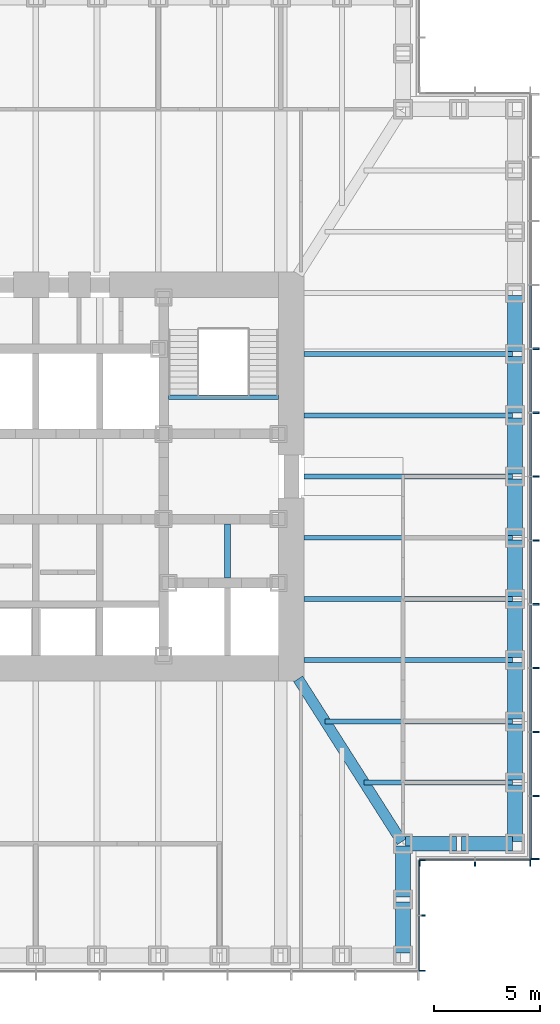
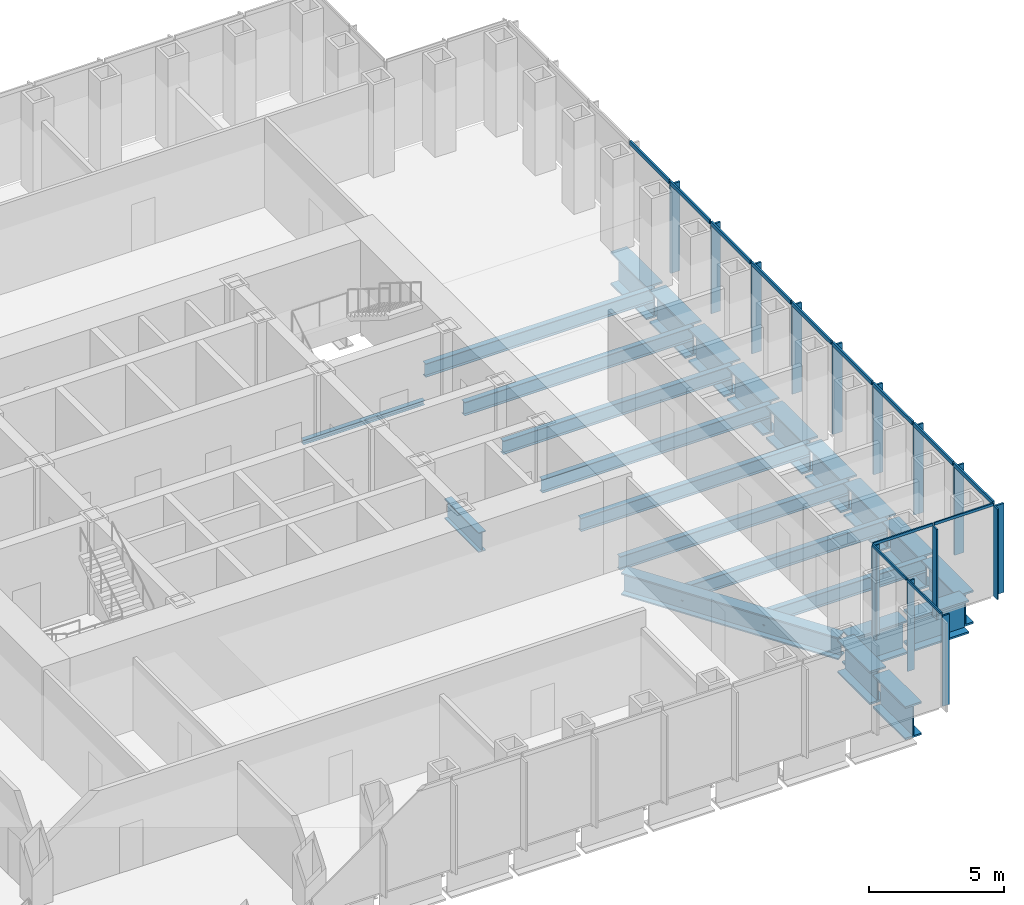
# One storey, part 4 of 17: 28 members, 24 beams, 3 elements without a shape of their own.
"""IFC4 building model written with IfcOpenShell, lengths in metres."""

import ifcopenshell
import ifcopenshell.guid

model = None  # the IFC model being written
_history = None  # IfcOwnerHistory: only IFC2X3 demands one
_inside = {}  # id of a spatial element -> (the spatial element, [elements in it])
_under = {}  # id of a project, library or spatial element -> (it, [spatial elements below it])
_declared = {}  # id of a project -> (the project, [libraries it declares])
_typed = {}  # id of a type object -> (the type object, [elements of that type])
_made_of = {}  # id of a material, layer set ... -> (it, [elements and type objects made of it])


def new_model(schema):
    """Start an empty IFC model of exactly this schema.

    Asked for "IFC4X3", IfcOpenShell would pick the latest addendum, in which some entities
    have other attributes; the version numbers below select the first issue.
    IFC2X3 requires an IfcOwnerHistory on every rooted entity: one is made here for all.
    """
    global model, _history
    if schema == "IFC4X3":
        model = ifcopenshell.file(schema_version=(4, 3, 0, 0))
    else:
        model = ifcopenshell.file(schema=schema)
    _inside.clear()
    _under.clear()
    _declared.clear()
    _typed.clear()
    _made_of.clear()
    _history = None
    if model.schema == "IFC2X3":
        org = make("IfcOrganization", Name="unknown")
        user = make(
            "IfcPersonAndOrganization",
            ThePerson=make("IfcPerson", FamilyName="unknown"),
            TheOrganization=org,
        )
        app = make(
            "IfcApplication",
            ApplicationDeveloper=org,
            Version="unknown",
            ApplicationFullName="unknown",
            ApplicationIdentifier="unknown",
        )
        _history = make(
            "IfcOwnerHistory",
            OwningUser=user,
            OwningApplication=app,
            ChangeAction="ADDED",
            CreationDate=0,
        )
    return model


def make(cls, **values):
    """One entity of the class cls with the attributes given. An attribute that is None is left unset."""
    return model.create_entity(
        cls, **{name: value for name, value in values.items() if value is not None}
    )


def rooted(cls, **values):
    """An entity with a GlobalId (a new one), such as an element, a storey or a relation."""
    return make(cls, GlobalId=ifcopenshell.guid.new(), OwnerHistory=_history, **values)


def si_unit(unit_type, name, prefix=None):
    """IfcSIUnit, for example si_unit("LENGTHUNIT", "METRE", prefix="MILLI")."""
    return make("IfcSIUnit", UnitType=unit_type, Prefix=prefix, Name=name)


def assignment(units):
    """IfcUnitAssignment: the units of a project."""
    return None if units is None else make("IfcUnitAssignment", Units=units)


def point(xyz):
    """IfcCartesianPoint."""
    return None if xyz is None else make("IfcCartesianPoint", Coordinates=xyz)


def direction(xyz):
    """IfcDirection."""
    return None if xyz is None else make("IfcDirection", DirectionRatios=xyz)


def frame(location, z_axis=None, x_axis=None):
    """IfcAxis2Placement3D, a coordinate frame: its origin and axes. An axis left out is left unset."""
    return make(
        "IfcAxis2Placement3D",
        Location=point(location),
        Axis=direction(z_axis),
        RefDirection=direction(x_axis),
    )


def frame_2d(location, x_axis=None):
    """IfcAxis2Placement2D, a coordinate frame in the plane: its origin and x axis."""
    return make(
        "IfcAxis2Placement2D", Location=point(location), RefDirection=direction(x_axis)
    )


def origin():
    """The frame at (0, 0, 0) with its axes left unset."""
    return frame((0.0, 0.0, 0.0))


def origin_2d():
    """The frame at (0, 0) in the plane with its x axis left unset."""
    return frame_2d((0.0, 0.0))


def place(relative_to, where):
    """IfcLocalPlacement: puts the frame where relative to a parent placement (None: the world)."""
    return make(
        "IfcLocalPlacement", PlacementRelTo=relative_to, RelativePlacement=where
    )


def context(
    kind, dimensions, precision=None, world=None, true_north=None, identifier=None
):
    """IfcGeometricRepresentationContext, for example the 3D "Model" context."""
    return make(
        "IfcGeometricRepresentationContext",
        ContextIdentifier=identifier,
        ContextType=kind,
        CoordinateSpaceDimension=dimensions,
        Precision=precision,
        WorldCoordinateSystem=world,
        TrueNorth=true_north,
    )


def subcontext(parent, identifier, kind, view, scale=None):
    """IfcGeometricRepresentationSubContext, for example "Body" below "Model"."""
    return make(
        "IfcGeometricRepresentationSubContext",
        ContextIdentifier=identifier,
        ContextType=kind,
        ParentContext=parent,
        TargetScale=scale,
        TargetView=view,
    )


def project(units=None, contexts=None):
    """IfcProject with its units and contexts."""
    return rooted(
        "IfcProject",
        Name="project",
        RepresentationContexts=contexts,
        UnitsInContext=assignment(units),
    )


def spatial(cls, under=None, at=None, **own):
    """A site, building, storey or space (cls), placed at a placement, below another one or the project."""
    s = rooted(cls, ObjectPlacement=at, **own)
    if under is not None:
        _under.setdefault(under.id(), (under, []))[1].append(s)
    return s


def profile(cls, at=None, kind="AREA", **sizes):
    """A parametric profile (cls). Its sizes go by their IFC names, for example OverallWidth=200.0."""
    return make(cls, ProfileType=kind, Position=at, **sizes)


def rectangle(**sizes):
    """IfcRectangleProfileDef."""
    return profile("IfcRectangleProfileDef", **sizes)


def i_section(**sizes):
    """IfcIShapeProfileDef."""
    return profile("IfcIShapeProfileDef", **sizes)


def extrude(swept, where, along, depth):
    """IfcExtrudedAreaSolid: the profile swept, set in the frame where, extruded along a direction by depth."""
    return make(
        "IfcExtrudedAreaSolid",
        SweptArea=swept,
        Position=where,
        ExtrudedDirection=direction(along),
        Depth=depth,
    )


def shape(context_of_items, identifier, shape_type, items):
    """IfcShapeRepresentation: the items that make up one representation, for example the "Body"."""
    return make(
        "IfcShapeRepresentation",
        ContextOfItems=context_of_items,
        RepresentationIdentifier=identifier,
        RepresentationType=shape_type,
        Items=items,
    )


def material(Name=None, Category=None):
    """IfcMaterial."""
    return make("IfcMaterial", Name=Name, Category=Category)


def material_profile(
    of_material, cross_section, Name=None, Category=None, Priority=None
):
    """IfcMaterialProfile: a cross section and its material."""
    return make(
        "IfcMaterialProfile",
        Name=Name,
        Material=of_material,
        Profile=cross_section,
        Priority=Priority,
        Category=Category,
    )


def profile_set(profiles, Name=None, composite=None):
    """IfcMaterialProfileSet."""
    return make(
        "IfcMaterialProfileSet",
        Name=Name,
        MaterialProfiles=profiles,
        CompositeProfile=composite,
    )


def made_of(thing, what):
    """Note that an element or type object is made of a material, layer set ...; save() writes the relation."""
    if what is not None:
        _made_of.setdefault(what.id(), (what, []))[1].append(thing)
    return thing


def type_object(cls, material=None, **own):
    """A type object (cls), such as IfcWallType, which elements share."""
    return made_of(rooted(cls, **own), material)


def element(
    cls,
    number,
    at=None,
    inside=None,
    cuts=None,
    type_object=None,
    material=None,
    context=None,
    identifier="Body",
    shape_type=None,
    held_by="IfcProductDefinitionShape",
    body=None,
    shapes=None,
    **own,
):
    """One element of the class cls, such as IfcWall. Its Tag is "e" and its number.

    at: its placement. inside: the storey or other place that contains it. cuts: it is an
    opening in that element (IfcRelVoidsElement). A single representation is given by context,
    identifier, shape_type and body (its items); several are given by shapes. held_by: the class
    of the entity that holds the representations. save() writes the other relations.
    """
    e = rooted(cls, Tag="e%d" % number, ObjectPlacement=at, **own)
    if body is not None:
        shapes = [shape(context, identifier, shape_type, body)]
    if shapes is not None:
        e.Representation = make(held_by, Representations=shapes)
    if inside is not None:
        _inside.setdefault(inside.id(), (inside, []))[1].append(e)
    if cuts is not None:
        rooted(
            "IfcRelVoidsElement", RelatingBuildingElement=cuts, RelatedOpeningElement=e
        )
    if type_object is not None:
        _typed.setdefault(type_object.id(), (type_object, []))[1].append(e)
    return made_of(e, material)


def aggregate(whole, parts):
    """IfcRelAggregates: a whole, such as a stair, and the parts it consists of."""
    return rooted("IfcRelAggregates", RelatingObject=whole, RelatedObjects=parts)


def save(model, path):
    """Write the relations noted so far, then the file.

    IfcRelAggregates (storeys below a building ...), IfcRelContainedInSpatialStructure (elements
    in a storey), IfcRelDefinesByType, IfcRelAssociatesMaterial and IfcRelDeclares: one each for
    every whole, place, type object, material and project.
    """
    for whole, parts in _under.values():
        aggregate(whole, parts)
    for where, things in _inside.values():
        rooted(
            "IfcRelContainedInSpatialStructure",
            RelatedElements=things,
            RelatingStructure=where,
        )
    for kind, things in _typed.values():
        rooted("IfcRelDefinesByType", RelatedObjects=things, RelatingType=kind)
    for what, things in _made_of.values():
        rooted("IfcRelAssociatesMaterial", RelatedObjects=things, RelatingMaterial=what)
    for by, libraries in _declared.values():
        rooted("IfcRelDeclares", RelatingContext=by, RelatedDefinitions=libraries)
    model.write(path)


model = new_model("IFC4")

# Units and contexts
model_context = context("Model", 3, precision=1e-05, world=origin(), true_north=direction((0.0, 1.0)))
body_context = subcontext(model_context, "Body", "Model", "MODEL_VIEW")
ifc_project = project(units=[si_unit("LENGTHUNIT", "METRE"), si_unit("AREAUNIT", "SQUARE_METRE"), si_unit("VOLUMEUNIT", "CUBIC_METRE"), si_unit("PLANEANGLEUNIT", "RADIAN"), si_unit("MASSUNIT", "GRAM", prefix="KILO")], contexts=[model_context])

# Site, building, storey
site_placement = place(None, origin())
site = spatial("IfcSite", under=ifc_project, at=site_placement, CompositionType="ELEMENT")
building_placement = place(site_placement, origin())
building = spatial("IfcBuilding", under=site, at=building_placement, Name="Daluyong Arena Tower", CompositionType="ELEMENT")
storey_placement = place(building_placement, frame((0.0, 0.0, 166.89990234375)))
storey = spatial("IfcBuildingStorey", under=building, at=storey_placement, Name="L37", CompositionType="ELEMENT", Elevation=166.89990234375)

# Curtain wall, members
ifc_material_1 = material(Name="Bronze anodised aluminium and glass", Category="aluminium")
curtain_wall_type_1 = type_object("IfcCurtainWallType", Name="Curtain wall CW2", PredefinedType="USERDEFINED", material=ifc_material_1)
curtain_wall_1_placement = place(storey_placement, origin())
curtain_wall_1 = element("IfcCurtainWall", 1, at=curtain_wall_1_placement, inside=storey, type_object=curtain_wall_type_1, Name="curtain wall L37 E", ObjectType="UNITISED CURTAIN WALL", PredefinedType="USERDEFINED")
ifc_material_2 = material(Name="Bronze anodised aluminium fin", Category="aluminium")
ifc_material_profile_1 = material_profile(ifc_material_2, rectangle(XDim=0.39990234375, YDim=0.080078125, at=origin_2d()))
ifc_profile_set_1 = profile_set([ifc_material_profile_1], Name="Bronze anodised aluminium fin")
member_type_1 = type_object("IfcMemberType", Name="CW2 bronze fin 400x80", PredefinedType="MULLION", material=ifc_profile_set_1)
member_1_placement = place(storey_placement, frame((79.449951171875, 62.0400390625, 0.0), z_axis=(0.0, 0.0, 1.0), x_axis=(-1.0, 0.0, 0.0)))
member_1 = element("IfcMember", 2, at=member_1_placement, type_object=member_type_1, Name="curtain wall L37 E fin 1", PredefinedType="MULLION", context=body_context, shape_type="SweptSolid", body=[
    extrude(rectangle(XDim=0.39990234375, YDim=0.080078125, at=origin_2d()), origin(), (0.0, 0.0, 1.0), 4.02001953125),
])
member_2_placement = place(storey_placement, frame((79.449951171875, 65.0, 0.0), z_axis=(0.0, 0.0, 1.0), x_axis=(-1.0, 0.0, 0.0)))
member_2 = element("IfcMember", 3, at=member_2_placement, type_object=member_type_1, Name="curtain wall L37 E fin 2", PredefinedType="MULLION", context=body_context, shape_type="SweptSolid", body=[
    extrude(rectangle(XDim=0.39990234375, YDim=0.080078125, at=origin_2d()), origin(), (0.0, 0.0, 1.0), 4.02001953125),
])
member_3_placement = place(storey_placement, frame((79.449951171875, 68.0, 0.0), z_axis=(0.0, 0.0, 1.0), x_axis=(-1.0, 0.0, 0.0)))
member_3 = element("IfcMember", 4, at=member_3_placement, type_object=member_type_1, Name="curtain wall L37 E fin 3", PredefinedType="MULLION", context=body_context, shape_type="SweptSolid", body=[
    extrude(rectangle(XDim=0.39990234375, YDim=0.080078125, at=origin_2d()), origin(), (0.0, 0.0, 1.0), 4.02001953125),
])
member_4_placement = place(storey_placement, frame((79.449951171875, 71.0, 0.0), z_axis=(0.0, 0.0, 1.0), x_axis=(-1.0, 0.0, 0.0)))
member_4 = element("IfcMember", 5, at=member_4_placement, type_object=member_type_1, Name="curtain wall L37 E fin 4", PredefinedType="MULLION", context=body_context, shape_type="SweptSolid", body=[
    extrude(rectangle(XDim=0.39990234375, YDim=0.080078125, at=origin_2d()), origin(), (0.0, 0.0, 1.0), 4.02001953125),
])
member_5_placement = place(storey_placement, frame((79.449951171875, 74.0, 0.0), z_axis=(0.0, 0.0, 1.0), x_axis=(-1.0, 0.0, 0.0)))
member_5 = element("IfcMember", 6, at=member_5_placement, type_object=member_type_1, Name="curtain wall L37 E fin 5", PredefinedType="MULLION", context=body_context, shape_type="SweptSolid", body=[
    extrude(rectangle(XDim=0.39990234375, YDim=0.080078125, at=origin_2d()), origin(), (0.0, 0.0, 1.0), 4.02001953125),
])
member_6_placement = place(storey_placement, frame((79.449951171875, 77.0, 0.0), z_axis=(0.0, 0.0, 1.0), x_axis=(-1.0, 0.0, 0.0)))
member_6 = element("IfcMember", 7, at=member_6_placement, type_object=member_type_1, Name="curtain wall L37 E fin 6", PredefinedType="MULLION", context=body_context, shape_type="SweptSolid", body=[
    extrude(rectangle(XDim=0.39990234375, YDim=0.080078125, at=origin_2d()), origin(), (0.0, 0.0, 1.0), 4.02001953125),
])
member_7_placement = place(storey_placement, frame((79.449951171875, 80.0, 0.0), z_axis=(0.0, 0.0, 1.0), x_axis=(-1.0, 0.0, 0.0)))
member_7 = element("IfcMember", 8, at=member_7_placement, type_object=member_type_1, Name="curtain wall L37 E fin 7", PredefinedType="MULLION", context=body_context, shape_type="SweptSolid", body=[
    extrude(rectangle(XDim=0.39990234375, YDim=0.080078125, at=origin_2d()), origin(), (0.0, 0.0, 1.0), 4.02001953125),
])
member_8_placement = place(storey_placement, frame((79.449951171875, 83.0, 0.0), z_axis=(0.0, 0.0, 1.0), x_axis=(-1.0, 0.0, 0.0)))
member_8 = element("IfcMember", 9, at=member_8_placement, type_object=member_type_1, Name="curtain wall L37 E fin 8", PredefinedType="MULLION", context=body_context, shape_type="SweptSolid", body=[
    extrude(rectangle(XDim=0.39990234375, YDim=0.080078125, at=origin_2d()), origin(), (0.0, 0.0, 1.0), 4.02001953125),
])
member_9_placement = place(storey_placement, frame((79.449951171875, 86.0, 0.0), z_axis=(0.0, 0.0, 1.0), x_axis=(-1.0, 0.0, 0.0)))
member_9 = element("IfcMember", 10, at=member_9_placement, type_object=member_type_1, Name="curtain wall L37 E fin 9", PredefinedType="MULLION", context=body_context, shape_type="SweptSolid", body=[
    extrude(rectangle(XDim=0.39990234375, YDim=0.080078125, at=origin_2d()), origin(), (0.0, 0.0, 1.0), 4.02001953125),
])
ifc_material_3 = material(Name="Bronze anodised aluminium", Category="aluminium")
ifc_material_profile_2 = material_profile(ifc_material_3, rectangle(XDim=0.080078125, YDim=0.179931640625, at=origin_2d()))
ifc_profile_set_2 = profile_set([ifc_material_profile_2], Name="Bronze anodised aluminium")
member_type_2 = type_object("IfcMemberType", Name="CW2 stack transom 180x80", PredefinedType="USERDEFINED", material=ifc_profile_set_2)
member_10_placement = place(storey_placement, frame((79.25, 62.080078125, 4.110107421875), z_axis=(0.0, 1.0, 0.0), x_axis=(-1.0, 0.0, 0.0)))
member_10 = element("IfcMember", 11, at=member_10_placement, type_object=member_type_2, Name="curtain wall L37 E transom 1", ObjectType="TRANSOM", PredefinedType="USERDEFINED", context=body_context, shape_type="SweptSolid", body=[
    extrude(rectangle(XDim=0.080078125, YDim=0.179931640625, at=origin_2d()), origin(), (0.0, 0.0, 1.0), 2.8798828125),
])
member_11_placement = place(storey_placement, frame((79.25, 65.0400390625, 4.110107421875), z_axis=(0.0, 1.0, 0.0), x_axis=(-1.0, 0.0, 0.0)))
member_11 = element("IfcMember", 12, at=member_11_placement, type_object=member_type_2, Name="curtain wall L37 E transom 2", ObjectType="TRANSOM", PredefinedType="USERDEFINED", context=body_context, shape_type="SweptSolid", body=[
    extrude(rectangle(XDim=0.080078125, YDim=0.179931640625, at=origin_2d()), origin(), (0.0, 0.0, 1.0), 2.919921875),
])
member_12_placement = place(storey_placement, frame((79.25, 68.0400390625, 4.110107421875), z_axis=(0.0, 1.0, 0.0), x_axis=(-1.0, 0.0, 0.0)))
member_12 = element("IfcMember", 13, at=member_12_placement, type_object=member_type_2, Name="curtain wall L37 E transom 3", ObjectType="TRANSOM", PredefinedType="USERDEFINED", context=body_context, shape_type="SweptSolid", body=[
    extrude(rectangle(XDim=0.080078125, YDim=0.179931640625, at=origin_2d()), origin(), (0.0, 0.0, 1.0), 2.919921875),
])
member_13_placement = place(storey_placement, frame((79.25, 71.0400390625, 4.110107421875), z_axis=(0.0, 1.0, 0.0), x_axis=(-1.0, 0.0, 0.0)))
member_13 = element("IfcMember", 14, at=member_13_placement, type_object=member_type_2, Name="curtain wall L37 E transom 4", ObjectType="TRANSOM", PredefinedType="USERDEFINED", context=body_context, shape_type="SweptSolid", body=[
    extrude(rectangle(XDim=0.080078125, YDim=0.179931640625, at=origin_2d()), origin(), (0.0, 0.0, 1.0), 2.919921875),
])
member_14_placement = place(storey_placement, frame((79.25, 74.0400390625, 4.110107421875), z_axis=(0.0, 1.0, 0.0), x_axis=(-1.0, 0.0, 0.0)))
member_14 = element("IfcMember", 15, at=member_14_placement, type_object=member_type_2, Name="curtain wall L37 E transom 5", ObjectType="TRANSOM", PredefinedType="USERDEFINED", context=body_context, shape_type="SweptSolid", body=[
    extrude(rectangle(XDim=0.080078125, YDim=0.179931640625, at=origin_2d()), origin(), (0.0, 0.0, 1.0), 2.919921875),
])
member_15_placement = place(storey_placement, frame((79.25, 77.0400390625, 4.110107421875), z_axis=(0.0, 1.0, 0.0), x_axis=(-1.0, 0.0, 0.0)))
member_15 = element("IfcMember", 16, at=member_15_placement, type_object=member_type_2, Name="curtain wall L37 E transom 6", ObjectType="TRANSOM", PredefinedType="USERDEFINED", context=body_context, shape_type="SweptSolid", body=[
    extrude(rectangle(XDim=0.080078125, YDim=0.179931640625, at=origin_2d()), origin(), (0.0, 0.0, 1.0), 2.919921875),
])
member_16_placement = place(storey_placement, frame((79.25, 80.0400390625, 4.110107421875), z_axis=(0.0, 1.0, 0.0), x_axis=(-1.0, 0.0, 0.0)))
member_16 = element("IfcMember", 17, at=member_16_placement, type_object=member_type_2, Name="curtain wall L37 E transom 7", ObjectType="TRANSOM", PredefinedType="USERDEFINED", context=body_context, shape_type="SweptSolid", body=[
    extrude(rectangle(XDim=0.080078125, YDim=0.179931640625, at=origin_2d()), origin(), (0.0, 0.0, 1.0), 2.919921875),
])
member_17_placement = place(storey_placement, frame((79.25, 83.0400390625, 4.110107421875), z_axis=(0.0, 1.0, 0.0), x_axis=(-1.0, 0.0, 0.0)))
member_17 = element("IfcMember", 18, at=member_17_placement, type_object=member_type_2, Name="curtain wall L37 E transom 8", ObjectType="TRANSOM", PredefinedType="USERDEFINED", context=body_context, shape_type="SweptSolid", body=[
    extrude(rectangle(XDim=0.080078125, YDim=0.179931640625, at=origin_2d()), origin(), (0.0, 0.0, 1.0), 2.919921875),
])
member_18_placement = place(storey_placement, frame((79.25, 86.0400390625, 4.110107421875), z_axis=(0.0, 1.0, 0.0), x_axis=(-1.0, 0.0, 0.0)))
member_18 = element("IfcMember", 19, at=member_18_placement, type_object=member_type_2, Name="curtain wall L37 E transom 9", ObjectType="TRANSOM", PredefinedType="USERDEFINED", context=body_context, shape_type="SweptSolid", body=[
    extrude(rectangle(XDim=0.080078125, YDim=0.179931640625, at=origin_2d()), origin(), (0.0, 0.0, 1.0), 2.919921875),
])
aggregate(curtain_wall_1, [member_1, member_2, member_3, member_4, member_5, member_6, member_7, member_8, member_9, member_10, member_11, member_12, member_13, member_14, member_15, member_16, member_17, member_18])

ifc_material_4 = material(Name="Bronze anodised aluminium and glass", Category="aluminium")
curtain_wall_type_2 = type_object("IfcCurtainWallType", Name="Curtain wall CW7", PredefinedType="USERDEFINED", material=ifc_material_4)
curtain_wall_2_placement = place(storey_placement, origin())
curtain_wall_2 = element("IfcCurtainWall", 20, at=curtain_wall_2_placement, inside=storey, type_object=curtain_wall_type_2, Name="curtain wall L37 SE-E", ObjectType="UNITISED CURTAIN WALL", PredefinedType="USERDEFINED")
ifc_material_5 = material(Name="Bronze anodised aluminium fin", Category="aluminium")
ifc_material_profile_3 = material_profile(ifc_material_5, rectangle(XDim=0.300048828125, YDim=0.06005859375, at=origin_2d()))
ifc_profile_set_3 = profile_set([ifc_material_profile_3], Name="Bronze anodised aluminium fin")
member_type_3 = type_object("IfcMemberType", Name="CW7 bronze fin 300x60", PredefinedType="MULLION", material=ifc_profile_set_3)
member_19_placement = place(storey_placement, frame((74.14990234375, 56.780029296875, 0.0), z_axis=(0.0, 0.0, 1.0), x_axis=(-1.0, 0.0, 0.0)))
member_19 = element("IfcMember", 21, at=member_19_placement, type_object=member_type_3, Name="curtain wall L37 SE-E fin 1", PredefinedType="MULLION", context=body_context, shape_type="SweptSolid", body=[
    extrude(rectangle(XDim=0.300048828125, YDim=0.06005859375, at=origin_2d()), origin(), (0.0, 0.0, 1.0), 4.080078125),
])
member_20_placement = place(storey_placement, frame((74.14990234375, 59.375, 0.0), z_axis=(0.0, 0.0, 1.0), x_axis=(-1.0, 0.0, 0.0)))
member_20 = element("IfcMember", 22, at=member_20_placement, type_object=member_type_3, Name="curtain wall L37 SE-E fin 2", PredefinedType="MULLION", context=body_context, shape_type="SweptSolid", body=[
    extrude(rectangle(XDim=0.300048828125, YDim=0.06005859375, at=origin_2d()), origin(), (0.0, 0.0, 1.0), 4.080078125),
])
member_21_placement = place(storey_placement, frame((74.14990234375, 61.969970703125, 0.0), z_axis=(0.0, 0.0, 1.0), x_axis=(-1.0, 0.0, 0.0)))
member_21 = element("IfcMember", 23, at=member_21_placement, type_object=member_type_3, Name="curtain wall L37 SE-E fin 3", PredefinedType="MULLION", context=body_context, shape_type="SweptSolid", body=[
    extrude(rectangle(XDim=0.300048828125, YDim=0.06005859375, at=origin_2d()), origin(), (0.0, 0.0, 1.0), 4.080078125),
])

curtain_wall_3_placement = place(storey_placement, origin())
curtain_wall_3 = element("IfcCurtainWall", 24, at=curtain_wall_3_placement, inside=storey, type_object=curtain_wall_type_2, Name="curtain wall L37 SE-S", ObjectType="UNITISED CURTAIN WALL", PredefinedType="USERDEFINED")
member_22_placement = place(storey_placement, frame((74.030029296875, 61.85009765625, 0.0), z_axis=(0.0, 0.0, 1.0), x_axis=(0.0, 1.0, 0.0)))
member_22 = element("IfcMember", 25, at=member_22_placement, type_object=member_type_3, Name="curtain wall L37 SE-S fin 1", PredefinedType="MULLION", context=body_context, shape_type="SweptSolid", body=[
    extrude(rectangle(XDim=0.300048828125, YDim=0.06005859375, at=origin_2d()), origin(), (0.0, 0.0, 1.0), 4.080078125),
])
member_23_placement = place(storey_placement, frame((76.625, 61.85009765625, 0.0), z_axis=(0.0, 0.0, 1.0), x_axis=(0.0, 1.0, 0.0)))
member_23 = element("IfcMember", 26, at=member_23_placement, type_object=member_type_3, Name="curtain wall L37 SE-S fin 2", PredefinedType="MULLION", context=body_context, shape_type="SweptSolid", body=[
    extrude(rectangle(XDim=0.300048828125, YDim=0.06005859375, at=origin_2d()), origin(), (0.0, 0.0, 1.0), 4.080078125),
])
member_24_placement = place(storey_placement, frame((79.219970703125, 61.85009765625, 0.0), z_axis=(0.0, 0.0, 1.0), x_axis=(0.0, 1.0, 0.0)))
member_24 = element("IfcMember", 27, at=member_24_placement, type_object=member_type_3, Name="curtain wall L37 SE-S fin 3", PredefinedType="MULLION", context=body_context, shape_type="SweptSolid", body=[
    extrude(rectangle(XDim=0.300048828125, YDim=0.06005859375, at=origin_2d()), origin(), (0.0, 0.0, 1.0), 4.080078125),
])

# Member
ifc_material_6 = material(Name="Bronze anodised aluminium", Category="aluminium")
ifc_material_profile_4 = material_profile(ifc_material_6, rectangle(XDim=0.06005859375, YDim=0.1201171875, at=origin_2d()))
ifc_profile_set_4 = profile_set([ifc_material_profile_4], Name="Bronze anodised aluminium")
member_type_4 = type_object("IfcMemberType", Name="CW7 stack transom 120x60", PredefinedType="USERDEFINED", material=ifc_profile_set_4)
member_25_placement = place(storey_placement, frame((74.0, 56.81005859375, 4.14013671875), z_axis=(0.0, 1.0, 0.0), x_axis=(-1.0, 0.0, 0.0)))
member_25 = element("IfcMember", 28, at=member_25_placement, type_object=member_type_4, Name="curtain wall L37 SE-E transom 1", ObjectType="TRANSOM", PredefinedType="USERDEFINED", context=body_context, shape_type="SweptSolid", body=[
    extrude(rectangle(XDim=0.06005859375, YDim=0.1201171875, at=origin_2d()), origin(), (0.0, 0.0, 1.0), 2.534912109375),
])

member_26_placement = place(storey_placement, frame((74.0, 59.405029296875, 4.14013671875), z_axis=(0.0, 1.0, 0.0), x_axis=(-1.0, 0.0, 0.0)))
member_26 = element("IfcMember", 29, at=member_26_placement, type_object=member_type_4, Name="curtain wall L37 SE-E transom 2", ObjectType="TRANSOM", PredefinedType="USERDEFINED", context=body_context, shape_type="SweptSolid", body=[
    extrude(rectangle(XDim=0.06005859375, YDim=0.1201171875, at=origin_2d()), origin(), (0.0, 0.0, 1.0), 2.534912109375),
])

aggregate(curtain_wall_2, [member_19, member_20, member_21, member_25, member_26])

member_27_placement = place(storey_placement, frame((74.06005859375, 62.0, 4.14013671875), z_axis=(1.0, 0.0, 0.0), x_axis=(0.0, 1.0, 0.0)))
member_27 = element("IfcMember", 30, at=member_27_placement, type_object=member_type_4, Name="curtain wall L37 SE-S transom 1", ObjectType="TRANSOM", PredefinedType="USERDEFINED", context=body_context, shape_type="SweptSolid", body=[
    extrude(rectangle(XDim=0.06005859375, YDim=0.1201171875, at=origin_2d()), origin(), (0.0, 0.0, 1.0), 2.534912109375),
])

member_28_placement = place(storey_placement, frame((76.655029296875, 62.0, 4.14013671875), z_axis=(1.0, 0.0, 0.0), x_axis=(0.0, 1.0, 0.0)))
member_28 = element("IfcMember", 31, at=member_28_placement, type_object=member_type_4, Name="curtain wall L37 SE-S transom 2", ObjectType="TRANSOM", PredefinedType="USERDEFINED", context=body_context, shape_type="SweptSolid", body=[
    extrude(rectangle(XDim=0.06005859375, YDim=0.1201171875, at=origin_2d()), origin(), (0.0, 0.0, 1.0), 2.534912109375),
])

aggregate(curtain_wall_3, [member_22, member_23, member_24, member_27, member_28])

# Beams
ifc_material_7 = material(Name="Steel ASTM A572 Grade 50", Category="steel")
ifc_material_profile_5 = material_profile(ifc_material_7, i_section(OverallWidth=0.5, OverallDepth=1.0, WebThickness=0.03, FlangeThickness=0.06, at=origin_2d()))
ifc_profile_set_5 = profile_set([ifc_material_profile_5], Name="Steel ASTM A572 Grade 50")
beam_type_1 = type_object("IfcBeamType", Name="Corner girder TB1000X500", PredefinedType="BEAM", material=ifc_profile_set_5)
beam_1_placement = place(storey_placement, frame((73.188232421875, 62.846923828125, -0.659912109375), z_axis=(-0.536872006459, 0.843663705916, 0.0), x_axis=(-0.843663705916, -0.536872006459, 0.0)))
element("IfcBeam", 32, at=beam_1_placement, inside=storey, type_object=beam_type_1, Name="corner girder DG2", PredefinedType="BEAM", context=body_context, shape_type="SweptSolid", body=[
    extrude(i_section(OverallWidth=0.5, OverallDepth=1.0, WebThickness=0.03, FlangeThickness=0.06, at=origin_2d()), origin(), (0.0, 0.0, 1.0), 9.06396484375),
])
ifc_material_8 = material(Name="Steel ASTM A992 Grade 50", Category="steel")
ifc_material_profile_6 = material_profile(ifc_material_8, i_section(OverallWidth=0.22900390625, OverallDepth=0.612060546875, WebThickness=0.011962890625, FlangeThickness=0.01953125, at=origin_2d()))
ifc_profile_set_6 = profile_set([ifc_material_profile_6], Name="Steel ASTM A992 Grade 50")
beam_type_2 = type_object("IfcBeamType", Name="Floor beam W24X84", PredefinedType="BEAM", material=ifc_profile_set_6)
beam_2_placement = place(storey_placement, frame((78.385009765625, 65.625, -0.466064453125), z_axis=(-1.0, 0.0, 0.0), x_axis=(0.0, -1.0, 0.0)))
element("IfcBeam", 33, at=beam_2_placement, inside=storey, type_object=beam_type_2, Name="floor beam FB3", PredefinedType="BEAM", context=body_context, shape_type="SweptSolid", body=[
    extrude(i_section(OverallWidth=0.22900390625, OverallDepth=0.612060546875, WebThickness=0.011962890625, FlangeThickness=0.01953125, at=origin_2d()), origin(), (0.0, 0.0, 1.0), 6.964599609375),
])
beam_3_placement = place(storey_placement, frame((78.385009765625, 68.5, -0.466064453125), z_axis=(-1.0, 0.0, 0.0), x_axis=(0.0, -1.0, 0.0)))
element("IfcBeam", 34, at=beam_3_placement, inside=storey, type_object=beam_type_2, Name="floor beam FB3", PredefinedType="BEAM", context=body_context, shape_type="SweptSolid", body=[
    extrude(i_section(OverallWidth=0.22900390625, OverallDepth=0.612060546875, WebThickness=0.011962890625, FlangeThickness=0.01953125, at=origin_2d()), origin(), (0.0, 0.0, 1.0), 8.794189453125),
])
for number, where, z_axis, x_axis, name in (
    (35, (78.385009765625, 71.375, -0.466064453125), (-1.0, 0.0, 0.0), (0.0, -1.0, 0.0), "floor beam FB3"),
    (36, (78.385009765625, 74.25, -0.466064453125), (-1.0, 0.0, 0.0), (0.0, -1.0, 0.0), "floor beam FB3"),
    (37, (78.385009765625, 77.125, -0.466064453125), (-1.0, 0.0, 0.0), (0.0, -1.0, 0.0), "floor beam FB3"),
    (38, (78.385009765625, 80.0, -0.466064453125), (-1.0, 0.0, 0.0), (0.0, -1.0, 0.0), "floor beam FB3"),
    (39, (78.385009765625, 82.875, -0.466064453125), (-1.0, 0.0, 0.0), (0.0, -1.0, 0.0), "floor beam FB3"),
    (40, (78.385009765625, 85.75, -0.466064453125), (-1.0, 0.0, 0.0), (0.0, -1.0, 0.0), "floor beam FB3"),
):
    element("IfcBeam", number, at=place(storey_placement, frame(where, z_axis=z_axis, x_axis=x_axis)), inside=storey, type_object=beam_type_2, Name=name, PredefinedType="BEAM", context=body_context, shape_type="SweptSolid", body=[
        extrude(i_section(OverallWidth=0.22900390625, OverallDepth=0.612060546875, WebThickness=0.011962890625, FlangeThickness=0.01953125, at=origin_2d()), origin(), (0.0, 0.0, 1.0), 9.784912109375),
    ])
ifc_material_9 = material(Name="Steel ASTM A572 Grade 50", Category="steel")
ifc_material_profile_7 = material_profile(ifc_material_9, i_section(OverallWidth=0.300048828125, OverallDepth=0.89990234375, WebThickness=0.025, FlangeThickness=0.04, at=origin_2d()))
ifc_profile_set_7 = profile_set([ifc_material_profile_7], Name="Steel ASTM A572 Grade 50")
beam_type_3 = type_object("IfcBeamType", Name="Lift divider beam PG900X300", PredefinedType="BEAM", material=ifc_profile_set_7)
beam_4_placement = place(storey_placement, frame((65.0, 75.22509765625, -0.60986328125), z_axis=(0.0, 1.0, 0.0), x_axis=(-1.0, 0.0, 0.0)))
element("IfcBeam", 41, at=beam_4_placement, inside=storey, type_object=beam_type_3, Name="lift divider beam DB1", PredefinedType="BEAM", context=body_context, shape_type="SweptSolid", body=[
    extrude(i_section(OverallWidth=0.300048828125, OverallDepth=0.89990234375, WebThickness=0.025, FlangeThickness=0.04, at=origin_2d()), origin(), (0.0, 0.0, 1.0), 2.5498046875),
])
ifc_material_10 = material(Name="Steel ASTM A572 Grade 50", Category="steel")
ifc_material_profile_8 = material_profile(ifc_material_10, i_section(OverallWidth=0.699951171875, OverallDepth=1.5, WebThickness=0.04, FlangeThickness=0.08, at=origin_2d()))
ifc_profile_set_8 = profile_set([ifc_material_profile_8], Name="Steel ASTM A572 Grade 50")
beam_type_4 = type_object("IfcBeamType", Name="Spandrel Z2 PG1500X700", PredefinedType="SPANDREL", material=ifc_profile_set_8)
for number, where, z_axis, x_axis, name in (
    (42, (73.25, 57.614990234375, -0.909912109375), (0.0, 1.0, 0.0), (-1.0, 0.0, 0.0), "spandrel z2 SB6"),
    (43, (73.25, 60.239990234375, -0.909912109375), (0.0, 1.0, 0.0), (-1.0, 0.0, 0.0), "spandrel z2 SB6"),
    (44, (73.364990234375, 62.75, -0.909912109375), (1.0, 0.0, 0.0), (0.0, 1.0, 0.0), "spandrel z2 SB6"),
    (45, (75.989990234375, 62.75, -0.909912109375), (1.0, 0.0, 0.0), (0.0, 1.0, 0.0), "spandrel z2 SB6"),
):
    element("IfcBeam", number, at=place(storey_placement, frame(where, z_axis=z_axis, x_axis=x_axis)), inside=storey, type_object=beam_type_4, Name=name, PredefinedType="SPANDREL", context=body_context, shape_type="SweptSolid", body=[
        extrude(i_section(OverallWidth=0.699951171875, OverallDepth=1.5, WebThickness=0.04, FlangeThickness=0.08, at=origin_2d()), origin(), (0.0, 0.0, 1.0), 2.39501953125),
    ])
for number, where, z_axis, x_axis, name in (
    (46, (78.5, 62.864990234375, -0.909912109375), (0.0, 1.0, 0.0), (-1.0, 0.0, 0.0), "spandrel z2 SB6"),
    (47, (78.5, 65.739990234375, -0.909912109375), (0.0, 1.0, 0.0), (-1.0, 0.0, 0.0), "spandrel z2 SB6"),
    (48, (78.5, 68.614990234375, -0.909912109375), (0.0, 1.0, 0.0), (-1.0, 0.0, 0.0), "spandrel z2 SB6"),
    (49, (78.5, 71.489990234375, -0.909912109375), (0.0, 1.0, 0.0), (-1.0, 0.0, 0.0), "spandrel z2 SB6"),
    (50, (78.5, 74.364990234375, -0.909912109375), (0.0, 1.0, 0.0), (-1.0, 0.0, 0.0), "spandrel z2 SB6"),
    (51, (78.5, 77.239990234375, -0.909912109375), (0.0, 1.0, 0.0), (-1.0, 0.0, 0.0), "spandrel z2 SB6"),
    (52, (78.5, 80.114990234375, -0.909912109375), (0.0, 1.0, 0.0), (-1.0, 0.0, 0.0), "spandrel z2 SB6"),
    (53, (78.5, 82.989990234375, -0.909912109375), (0.0, 1.0, 0.0), (-1.0, 0.0, 0.0), "spandrel z2 SB6"),
    (54, (78.5, 85.864990234375, -0.909912109375), (0.0, 1.0, 0.0), (-1.0, 0.0, 0.0), "spandrel z2 SB6"),
):
    element("IfcBeam", number, at=place(storey_placement, frame(where, z_axis=z_axis, x_axis=x_axis)), inside=storey, type_object=beam_type_4, Name=name, PredefinedType="SPANDREL", context=body_context, shape_type="SweptSolid", body=[
        extrude(i_section(OverallWidth=0.699951171875, OverallDepth=1.5, WebThickness=0.04, FlangeThickness=0.08, at=origin_2d()), origin(), (0.0, 0.0, 1.0), 2.64501953125),
    ])
ifc_material_11 = material(Name="Steel ASTM A992 Grade 50", Category="steel")
ifc_material_profile_9 = material_profile(ifc_material_11, i_section(OverallWidth=0.203125, OverallDepth=0.203125, WebThickness=0.00732421875, FlangeThickness=0.010986328125, at=origin_2d()))
ifc_profile_set_9 = profile_set([ifc_material_profile_9], Name="Steel ASTM A992 Grade 50")
beam_type_5 = type_object("IfcBeamType", Name="Stair landing beam W8X31", PredefinedType="BEAM", material=ifc_profile_set_9)
beam_5_placement = place(storey_placement, frame((62.22509765625, 83.723388671875, -0.261474609375), z_axis=(1.0, 0.0, 0.0), x_axis=(0.0, 1.0, 0.0)))
element("IfcBeam", 55, at=beam_5_placement, inside=storey, type_object=beam_type_5, Name="exit stair B landing beam", PredefinedType="BEAM", context=body_context, shape_type="SweptSolid", body=[
    extrude(i_section(OverallWidth=0.203125, OverallDepth=0.203125, WebThickness=0.00732421875, FlangeThickness=0.010986328125, at=origin_2d()), origin(), (0.0, 0.0, 1.0), 5.1748046875),
])

save(model, "model.ifc")
